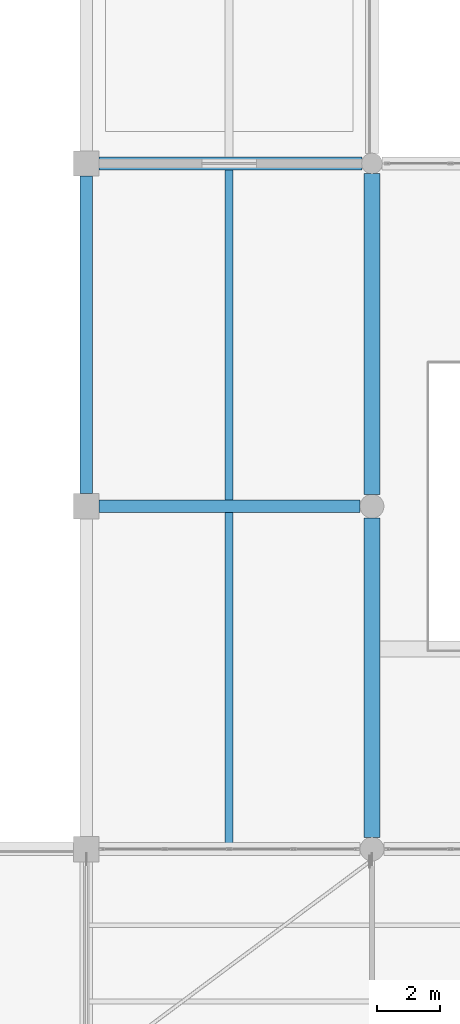
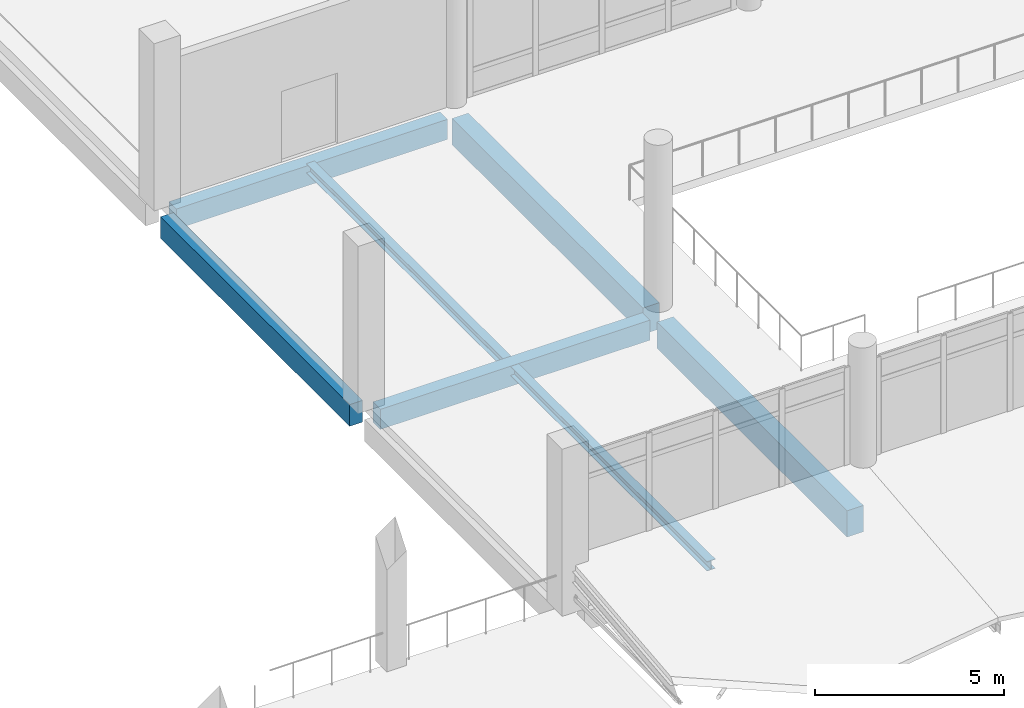
# One storey, part 36 of 180: 7 beams.
"""IFC4 building model written with IfcOpenShell, lengths in metres."""

from ifc_helpers import new_model, si_unit, direction, frame, origin, origin_2d, place, context, subcontext, project, spatial, rectangle, i_section, extrude, material, material_profile, profile_set, type_object, element, save


model = new_model("IFC4")

# Units and contexts
model_context = context("Model", 3, precision=1e-05, world=origin(), true_north=direction((0.0, 1.0)))
body_context = subcontext(model_context, "Body", "Model", "MODEL_VIEW")
ifc_project = project(units=[si_unit("LENGTHUNIT", "METRE"), si_unit("AREAUNIT", "SQUARE_METRE"), si_unit("VOLUMEUNIT", "CUBIC_METRE"), si_unit("PLANEANGLEUNIT", "RADIAN"), si_unit("MASSUNIT", "GRAM", prefix="KILO")], contexts=[model_context])

# Site, building, storey
site_placement = place(None, origin())
site = spatial("IfcSite", under=ifc_project, at=site_placement, CompositionType="ELEMENT")
building_placement = place(site_placement, origin())
building = spatial("IfcBuilding", under=site, at=building_placement, Name="Lusvemor Sports Hall", CompositionType="ELEMENT")
storey_placement = place(building_placement, frame((0.0, 0.0, 5.39990234375)))
storey = spatial("IfcBuildingStorey", under=building, at=storey_placement, Name="L01", CompositionType="ELEMENT", Elevation=5.39990234375)

# Beams
ifc_material_1 = material(Name="Concrete C40/50", Category="concrete")
ifc_material_profile_1 = material_profile(ifc_material_1, rectangle(XDim=0.39990234375, YDim=0.64990234375, at=origin_2d()), Name="RC400x650")
ifc_profile_set_1 = profile_set([ifc_material_profile_1], Name="Concrete C40/50")
beam_type_1 = type_object("IfcBeamType", Name="BEAM_RC_650", PredefinedType="BEAM", material=ifc_profile_set_1)
beam_1_placement = place(storey_placement, frame((75.99609375, 18.0, -0.5849609375), z_axis=(1.0, 0.0, 0.0), x_axis=(0.0, 1.0, 0.0)))
element("IfcBeam", 1, at=beam_1_placement, inside=storey, type_object=beam_type_1, Name="Beam L01 C:8-9", PredefinedType="BEAM", context=body_context, shape_type="SweptSolid", body=[
    extrude(rectangle(XDim=0.39990234375, YDim=0.64990234375, at=origin_2d()), origin(), (0.0, 0.0, 1.0), 8.23291015625),
])
beam_2_placement = place(storey_placement, frame((75.99609375, 28.800048828125, -0.664794921875), z_axis=(1.0, 0.0, 0.0), x_axis=(0.0, 1.0, 0.0)))
element("IfcBeam", 2, at=beam_2_placement, inside=storey, type_object=beam_type_1, Name="Beam L01 D:8-9", PredefinedType="BEAM", context=body_context, shape_type="SweptSolid", body=[
    extrude(rectangle(XDim=0.39990234375, YDim=0.64990234375, at=origin_2d()), origin(), (0.0, 0.0, 1.0), 8.282958984375),
])
ifc_material_2 = material(Name="Concrete C40/50", Category="concrete")
ifc_material_profile_2 = material_profile(ifc_material_2, rectangle(XDim=0.5, YDim=0.85009765625, at=origin_2d()), Name="RC500x850")
ifc_profile_set_2 = profile_set([ifc_material_profile_2], Name="Concrete C40/50")
beam_type_2 = type_object("IfcBeamType", Name="GIRD_RC_850", PredefinedType="T_BEAM", material=ifc_profile_set_2)
beam_3_placement = place(storey_placement, frame((84.60009765625, 7.571044921875, -0.684814453125), z_axis=(0.0, 1.0, 0.0), x_axis=(-1.0, 0.0, 0.0)))
element("IfcBeam", 3, at=beam_3_placement, inside=storey, type_object=beam_type_2, Name="Beam L01 9:B-C", PredefinedType="T_BEAM", context=body_context, shape_type="SweptSolid", body=[
    extrude(rectangle(XDim=0.5, YDim=0.85009765625, at=origin_2d()), origin(), (0.0, 0.0, 1.0), 10.057861328125),
])
beam_4_placement = place(storey_placement, frame((84.60009765625, 18.37109375, -0.684814453125), z_axis=(0.0, 1.0, 0.0), x_axis=(-1.0, 0.0, 0.0)))
element("IfcBeam", 4, at=beam_4_placement, inside=storey, type_object=beam_type_2, Name="Beam L01 9:C-D", PredefinedType="T_BEAM", context=body_context, shape_type="SweptSolid", body=[
    extrude(rectangle(XDim=0.5, YDim=0.85009765625, at=origin_2d()), origin(), (0.0, 0.0, 1.0), 10.10791015625),
])
ifc_material_3 = material(Name="Steel S355", Category="steel")
ifc_material_profile_3 = material_profile(ifc_material_3, i_section(OverallWidth=0.25390625, OverallDepth=0.305908203125, WebThickness=0.0087890625, FlangeThickness=0.0146484375, FilletRadius=0.014892578125, at=origin_2d()), Name="W310x79.0")
ifc_profile_set_3 = profile_set([ifc_material_profile_3], Name="Steel S355")
beam_type_3 = type_object("IfcBeamType", Name="JOIST_ST_310H", PredefinedType="JOIST", material=ifc_profile_set_3)
for number, where, z_axis, x_axis, name in (
    (5, (80.10009765625, 7.39599609375, -0.4169921875), (0.0, 1.0, 0.0), (-1.0, 0.0, 0.0), "Secondary Joist L01 8-9/B-C #1"),
    (6, (80.10009765625, 18.196044921875, -0.4169921875), (0.0, 1.0, 0.0), (-1.0, 0.0, 0.0), "Secondary Joist L01 8-9/C-D #1"),
):
    element("IfcBeam", number, at=place(storey_placement, frame(where, z_axis=z_axis, x_axis=x_axis)), inside=storey, type_object=beam_type_3, Name=name, PredefinedType="JOIST", context=body_context, shape_type="SweptSolid", body=[
        extrude(i_section(OverallWidth=0.25390625, OverallDepth=0.305908203125, WebThickness=0.0087890625, FlangeThickness=0.0146484375, FilletRadius=0.014892578125, at=origin_2d()), origin(), (0.0, 0.0, 1.0), 10.407958984375),
    ])
ifc_material_4 = material(Name="Concrete C40/50", Category="concrete")
ifc_material_profile_4 = material_profile(ifc_material_4, rectangle(XDim=0.39990234375, YDim=0.699951171875, at=origin_2d()), Name="RC400x700")
ifc_profile_set_4 = profile_set([ifc_material_profile_4], Name="Concrete C40/50")
beam_type_4 = type_object("IfcBeamType", Name="SPAND_EXT_700", PredefinedType="SPANDREL", material=ifc_profile_set_4)
beam_5_placement = place(storey_placement, frame((75.60009765625, 18.39599609375, -0.60986328125), z_axis=(0.0, 1.0, 0.0), x_axis=(-1.0, 0.0, 0.0)))
element("IfcBeam", 7, at=beam_5_placement, inside=storey, type_object=beam_type_4, Name="Beam L01 8:C-D", PredefinedType="SPANDREL", context=body_context, shape_type="SweptSolid", body=[
    extrude(rectangle(XDim=0.39990234375, YDim=0.699951171875, at=origin_2d()), origin(), (0.0, 0.0, 1.0), 10.008056640625),
])

save(model, "model.ifc")
